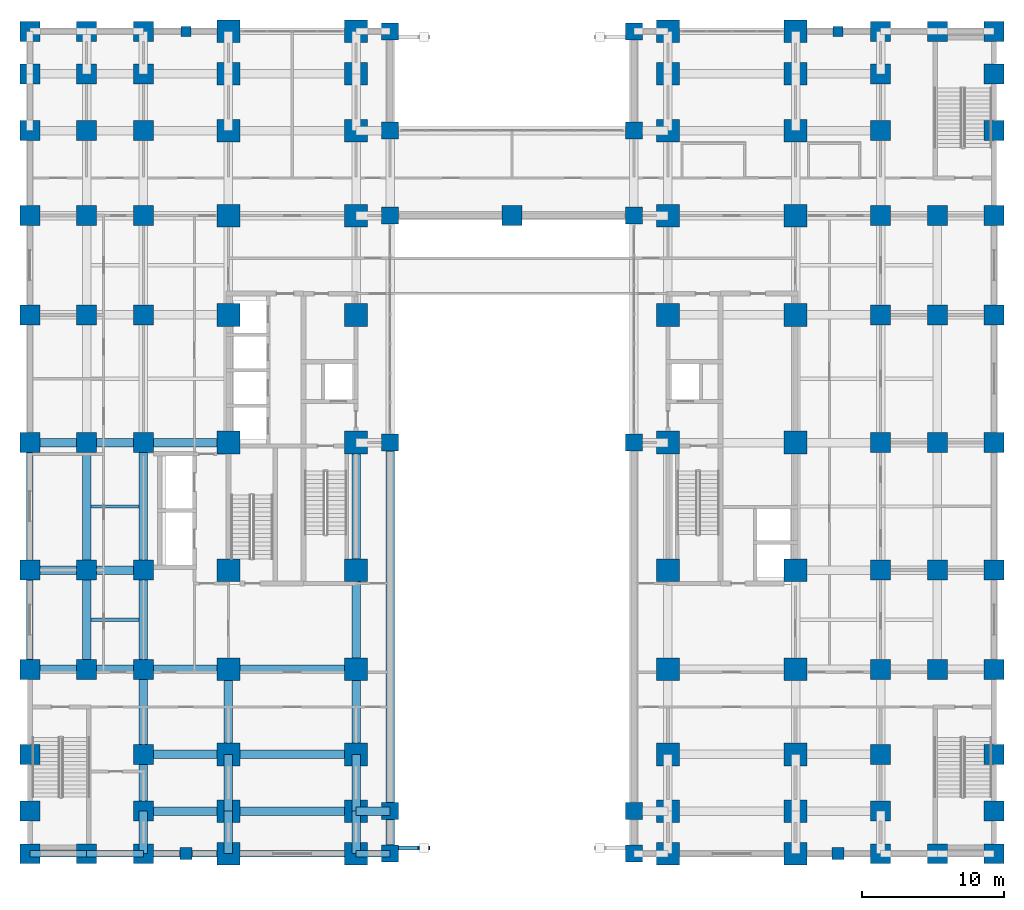
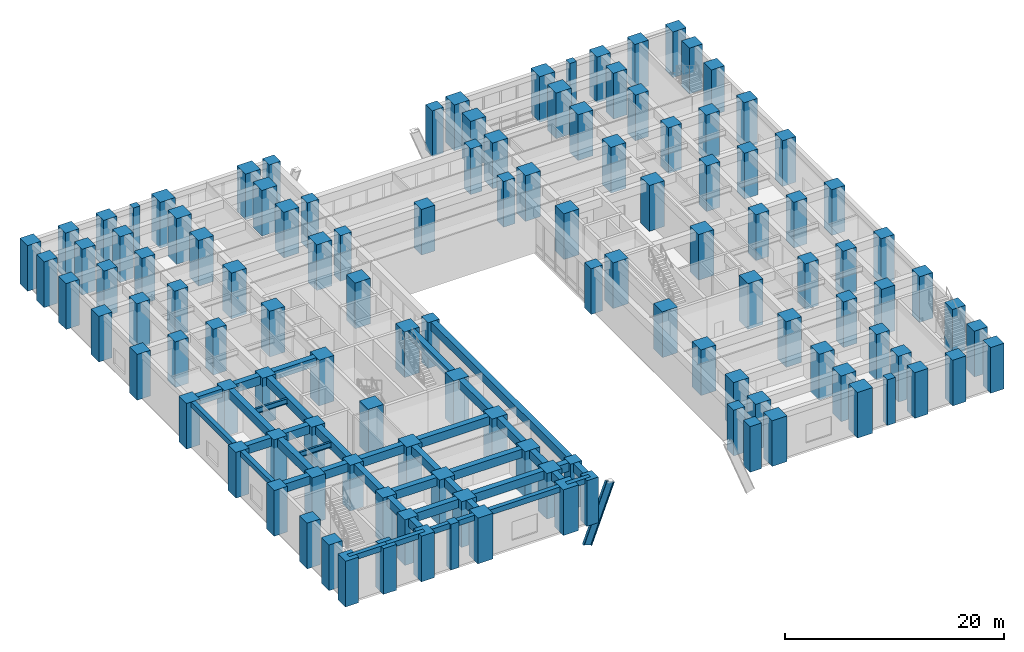
# One storey, part 1 of 23: 121 columns, 40 beams, 1 member.
"""IFC4 building model written with IfcOpenShell, lengths in metres."""

from ifc_helpers import new_model, si_unit, direction, frame, origin, origin_2d, place, context, subcontext, project, spatial, rectangle, i_section, extrude, material, material_profile, profile_set, type_object, element, save


model = new_model("IFC4")

# Units and contexts
model_context = context("Model", 3, precision=1e-05, world=origin(), true_north=direction((0.0, 1.0)))
body_context = subcontext(model_context, "Body", "Model", "MODEL_VIEW")
ifc_project = project(units=[si_unit("LENGTHUNIT", "METRE"), si_unit("AREAUNIT", "SQUARE_METRE"), si_unit("VOLUMEUNIT", "CUBIC_METRE"), si_unit("PLANEANGLEUNIT", "RADIAN"), si_unit("MASSUNIT", "GRAM", prefix="KILO")], contexts=[model_context])

# Site, building, storey
site_placement = place(None, origin())
site = spatial("IfcSite", under=ifc_project, at=site_placement, CompositionType="ELEMENT")
building_placement = place(site_placement, origin())
building = spatial("IfcBuilding", under=site, at=building_placement, Name="Zulmaris Gate Convention Tower", CompositionType="ELEMENT")
storey_placement = place(building_placement, frame((0.0, 0.0, 10.8798828125)))
storey = spatial("IfcBuildingStorey", under=building, at=storey_placement, Name="L02", CompositionType="ELEMENT", Elevation=10.8798828125)

# Columns
ifc_material_1 = material(Name="Concrete C70/85", Category="concrete")
ifc_material_profile_1 = material_profile(ifc_material_1, rectangle(XDim=1.199951171875, YDim=1.199951171875, at=origin_2d()), Name="RC COL 1200x1200")
ifc_profile_set_1 = profile_set([ifc_material_profile_1], Name="Concrete C70/85")
column_type_1 = type_object("IfcColumnType", Name="COL-RC1200", PredefinedType="COLUMN", material=ifc_profile_set_1)
for number, where, z_axis, x_axis, name in (
    (1, (-8.60009765625, -29.0, 0.0), (0.0, 0.0, 1.0), (1.0, 0.0, 0.0), "L02 Column AR--8.6_-29.0"),
    (2, (8.60009765625, -29.0, 0.0), (0.0, 0.0, 1.0), (1.0, 0.0, 0.0), "L02 Column AR-+8.6_-29.0"),
    (3, (-8.60009765625, -26.0, 0.0), (0.0, 0.0, 1.0), (1.0, 0.0, 0.0), "L02 Column AR--8.6_-26.0"),
    (4, (8.60009765625, -26.0, 0.0), (0.0, 0.0, 1.0), (1.0, 0.0, 0.0), "L02 Column AR-+8.6_-26.0"),
    (5, (-8.60009765625, 0.0, 0.0), (0.0, 0.0, 1.0), (1.0, 0.0, 0.0), "L02 Column AR--8.6_+0.0"),
    (6, (8.60009765625, 0.0, 0.0), (0.0, 0.0, 1.0), (1.0, 0.0, 0.0), "L02 Column AR-+8.6_+0.0"),
    (7, (-8.60009765625, 16.0, 0.0), (0.0, 0.0, 1.0), (1.0, 0.0, 0.0), "L02 Column AR--8.6_+16.0"),
    (8, (8.60009765625, 16.0, 0.0), (0.0, 0.0, 1.0), (1.0, 0.0, 0.0), "L02 Column AR-+8.6_+16.0"),
    (9, (-8.60009765625, 22.0, 0.0), (0.0, 0.0, 1.0), (1.0, 0.0, 0.0), "L02 Column AR--8.6_+22.0"),
    (10, (8.60009765625, 22.0, 0.0), (0.0, 0.0, 1.0), (1.0, 0.0, 0.0), "L02 Column AR-+8.6_+22.0"),
    (11, (-8.60009765625, 29.0, 0.0), (0.0, 0.0, 1.0), (1.0, 0.0, 0.0), "L02 Column AR--8.6_+29.0"),
    (12, (8.60009765625, 29.0, 0.0), (0.0, 0.0, 1.0), (1.0, 0.0, 0.0), "L02 Column AR-+8.6_+29.0"),
):
    element("IfcColumn", number, at=place(storey_placement, frame(where, z_axis=z_axis, x_axis=x_axis)), inside=storey, type_object=column_type_1, Name=name, PredefinedType="COLUMN", context=body_context, shape_type="SweptSolid", body=[
        extrude(rectangle(XDim=1.199951171875, YDim=1.199951171875, at=origin_2d()), origin(), (0.0, 0.0, 1.0), 5.09033203125),
    ])
ifc_material_2 = material(Name="Concrete C80/95", Category="concrete")
ifc_material_profile_2 = material_profile(ifc_material_2, rectangle(XDim=1.39990234375, YDim=1.39990234375, at=origin_2d()), Name="RC COL 1400x1400")
ifc_profile_set_2 = profile_set([ifc_material_profile_2], Name="Concrete C80/95")
column_type_2 = type_object("IfcColumnType", Name="COL-RC1400", PredefinedType="COLUMN", material=ifc_profile_set_2)
for number, where, z_axis, x_axis, name in (
    (13, (-34.0, -29.0, 0.0), (0.0, 0.0, 1.0), (1.0, 0.0, 0.0), "L02 Column G--34.0_-29.0"),
    (14, (-34.0, -26.0, 0.0), (0.0, 0.0, 1.0), (1.0, 0.0, 0.0), "L02 Column G--34.0_-26.0"),
    (15, (-34.0, -22.0, 0.0), (0.0, 0.0, 1.0), (1.0, 0.0, 0.0), "L02 Column G--34.0_-22.0"),
    (16, (-34.0, -16.0, 0.0), (0.0, 0.0, 1.0), (1.0, 0.0, 0.0), "L02 Column G--34.0_-16.0"),
    (17, (-34.0, -9.0, 0.0), (0.0, 0.0, 1.0), (1.0, 0.0, 0.0), "L02 Column G--34.0_-9.0"),
    (18, (-34.0, 0.0, 0.0), (0.0, 0.0, 1.0), (1.0, 0.0, 0.0), "L02 Column G--34.0_+0.0"),
    (19, (-34.0, 9.0, 0.0), (0.0, 0.0, 1.0), (1.0, 0.0, 0.0), "L02 Column G--34.0_+9.0"),
    (20, (-34.0, 16.0, 0.0), (0.0, 0.0, 1.0), (1.0, 0.0, 0.0), "L02 Column G--34.0_+16.0"),
    (21, (-34.0, 22.0, 0.0), (0.0, 0.0, 1.0), (1.0, 0.0, 0.0), "L02 Column G--34.0_+22.0"),
    (22, (-34.0, 26.0, 0.0), (0.0, 0.0, 1.0), (1.0, 0.0, 0.0), "L02 Column G--34.0_+26.0"),
    (23, (-34.0, 29.0, 0.0), (0.0, 0.0, 1.0), (1.0, 0.0, 0.0), "L02 Column G--34.0_+29.0"),
    (24, (-30.0, -29.0, 0.0), (0.0, 0.0, 1.0), (1.0, 0.0, 0.0), "L02 Column G--30.0_-29.0"),
    (25, (-30.0, -16.0, 0.0), (0.0, 0.0, 1.0), (1.0, 0.0, 0.0), "L02 Column G--30.0_-16.0"),
    (26, (-30.0, -9.0, 0.0), (0.0, 0.0, 1.0), (1.0, 0.0, 0.0), "L02 Column G--30.0_-9.0"),
    (27, (-30.0, 0.0, 0.0), (0.0, 0.0, 1.0), (1.0, 0.0, 0.0), "L02 Column G--30.0_+0.0"),
    (28, (-30.0, 9.0, 0.0), (0.0, 0.0, 1.0), (1.0, 0.0, 0.0), "L02 Column G--30.0_+9.0"),
    (29, (-30.0, 16.0, 0.0), (0.0, 0.0, 1.0), (1.0, 0.0, 0.0), "L02 Column G--30.0_+16.0"),
    (30, (-30.0, 22.0, 0.0), (0.0, 0.0, 1.0), (1.0, 0.0, 0.0), "L02 Column G--30.0_+22.0"),
    (31, (-30.0, 26.0, 0.0), (0.0, 0.0, 1.0), (1.0, 0.0, 0.0), "L02 Column G--30.0_+26.0"),
    (32, (-30.0, 29.0, 0.0), (0.0, 0.0, 1.0), (1.0, 0.0, 0.0), "L02 Column G--30.0_+29.0"),
    (33, (-26.0, -29.0, 0.0), (0.0, 0.0, 1.0), (1.0, 0.0, 0.0), "L02 Column G--26.0_-29.0"),
    (34, (-26.0, -26.0, 0.0), (0.0, 0.0, 1.0), (1.0, 0.0, 0.0), "L02 Column G--26.0_-26.0"),
    (35, (-26.0, -22.0, 0.0), (0.0, 0.0, 1.0), (1.0, 0.0, 0.0), "L02 Column G--26.0_-22.0"),
    (36, (-26.0, -16.0, 0.0), (0.0, 0.0, 1.0), (1.0, 0.0, 0.0), "L02 Column G--26.0_-16.0"),
    (37, (-26.0, -9.0, 0.0), (0.0, 0.0, 1.0), (1.0, 0.0, 0.0), "L02 Column G--26.0_-9.0"),
    (38, (-26.0, 0.0, 0.0), (0.0, 0.0, 1.0), (1.0, 0.0, 0.0), "L02 Column G--26.0_+0.0"),
    (39, (-26.0, 9.0, 0.0), (0.0, 0.0, 1.0), (1.0, 0.0, 0.0), "L02 Column G--26.0_+9.0"),
    (40, (-26.0, 16.0, 0.0), (0.0, 0.0, 1.0), (1.0, 0.0, 0.0), "L02 Column G--26.0_+16.0"),
    (41, (-26.0, 22.0, 0.0), (0.0, 0.0, 1.0), (1.0, 0.0, 0.0), "L02 Column G--26.0_+22.0"),
    (42, (-26.0, 26.0, 0.0), (0.0, 0.0, 1.0), (1.0, 0.0, 0.0), "L02 Column G--26.0_+26.0"),
    (43, (-26.0, 29.0, 0.0), (0.0, 0.0, 1.0), (1.0, 0.0, 0.0), "L02 Column G--26.0_+29.0"),
    (44, (0.0, 16.0, 0.0), (0.0, 0.0, 1.0), (1.0, 0.0, 0.0), "L02 Column G-+0.0_+16.0"),
    (45, (26.0, -29.0, 0.0), (0.0, 0.0, 1.0), (1.0, 0.0, 0.0), "L02 Column G-+26.0_-29.0"),
    (46, (26.0, -26.0, 0.0), (0.0, 0.0, 1.0), (1.0, 0.0, 0.0), "L02 Column G-+26.0_-26.0"),
    (47, (26.0, -22.0, 0.0), (0.0, 0.0, 1.0), (1.0, 0.0, 0.0), "L02 Column G-+26.0_-22.0"),
    (48, (26.0, -16.0, 0.0), (0.0, 0.0, 1.0), (1.0, 0.0, 0.0), "L02 Column G-+26.0_-16.0"),
    (49, (26.0, -9.0, 0.0), (0.0, 0.0, 1.0), (1.0, 0.0, 0.0), "L02 Column G-+26.0_-9.0"),
    (50, (26.0, 0.0, 0.0), (0.0, 0.0, 1.0), (1.0, 0.0, 0.0), "L02 Column G-+26.0_+0.0"),
    (51, (26.0, 9.0, 0.0), (0.0, 0.0, 1.0), (1.0, 0.0, 0.0), "L02 Column G-+26.0_+9.0"),
    (52, (26.0, 16.0, 0.0), (0.0, 0.0, 1.0), (1.0, 0.0, 0.0), "L02 Column G-+26.0_+16.0"),
    (53, (26.0, 22.0, 0.0), (0.0, 0.0, 1.0), (1.0, 0.0, 0.0), "L02 Column G-+26.0_+22.0"),
    (54, (26.0, 26.0, 0.0), (0.0, 0.0, 1.0), (1.0, 0.0, 0.0), "L02 Column G-+26.0_+26.0"),
    (55, (26.0, 29.0, 0.0), (0.0, 0.0, 1.0), (1.0, 0.0, 0.0), "L02 Column G-+26.0_+29.0"),
    (56, (30.0, -29.0, 0.0), (0.0, 0.0, 1.0), (1.0, 0.0, 0.0), "L02 Column G-+30.0_-29.0"),
    (57, (30.0, -16.0, 0.0), (0.0, 0.0, 1.0), (1.0, 0.0, 0.0), "L02 Column G-+30.0_-16.0"),
    (58, (30.0, -9.0, 0.0), (0.0, 0.0, 1.0), (1.0, 0.0, 0.0), "L02 Column G-+30.0_-9.0"),
    (59, (30.0, 0.0, 0.0), (0.0, 0.0, 1.0), (1.0, 0.0, 0.0), "L02 Column G-+30.0_+0.0"),
    (60, (30.0, 9.0, 0.0), (0.0, 0.0, 1.0), (1.0, 0.0, 0.0), "L02 Column G-+30.0_+9.0"),
    (61, (30.0, 16.0, 0.0), (0.0, 0.0, 1.0), (1.0, 0.0, 0.0), "L02 Column G-+30.0_+16.0"),
    (62, (30.0, 29.0, 0.0), (0.0, 0.0, 1.0), (1.0, 0.0, 0.0), "L02 Column G-+30.0_+29.0"),
    (63, (34.0, -29.0, 0.0), (0.0, 0.0, 1.0), (1.0, 0.0, 0.0), "L02 Column G-+34.0_-29.0"),
    (64, (34.0, -26.0, 0.0), (0.0, 0.0, 1.0), (1.0, 0.0, 0.0), "L02 Column G-+34.0_-26.0"),
    (65, (34.0, -22.0, 0.0), (0.0, 0.0, 1.0), (1.0, 0.0, 0.0), "L02 Column G-+34.0_-22.0"),
    (66, (34.0, -16.0, 0.0), (0.0, 0.0, 1.0), (1.0, 0.0, 0.0), "L02 Column G-+34.0_-16.0"),
    (67, (34.0, -9.0, 0.0), (0.0, 0.0, 1.0), (1.0, 0.0, 0.0), "L02 Column G-+34.0_-9.0"),
    (68, (34.0, 0.0, 0.0), (0.0, 0.0, 1.0), (1.0, 0.0, 0.0), "L02 Column G-+34.0_+0.0"),
    (69, (34.0, 9.0, 0.0), (0.0, 0.0, 1.0), (1.0, 0.0, 0.0), "L02 Column G-+34.0_+9.0"),
    (70, (34.0, 16.0, 0.0), (0.0, 0.0, 1.0), (1.0, 0.0, 0.0), "L02 Column G-+34.0_+16.0"),
    (71, (34.0, 22.0, 0.0), (0.0, 0.0, 1.0), (1.0, 0.0, 0.0), "L02 Column G-+34.0_+22.0"),
    (72, (34.0, 26.0, 0.0), (0.0, 0.0, 1.0), (1.0, 0.0, 0.0), "L02 Column G-+34.0_+26.0"),
    (73, (34.0, 29.0, 0.0), (0.0, 0.0, 1.0), (1.0, 0.0, 0.0), "L02 Column G-+34.0_+29.0"),
):
    element("IfcColumn", number, at=place(storey_placement, frame(where, z_axis=z_axis, x_axis=x_axis)), inside=storey, type_object=column_type_2, Name=name, PredefinedType="COLUMN", context=body_context, shape_type="SweptSolid", body=[
        extrude(rectangle(XDim=1.39990234375, YDim=1.39990234375, at=origin_2d()), origin(), (0.0, 0.0, 1.0), 5.09033203125),
    ])
ifc_material_profile_3 = material_profile(ifc_material_2, rectangle(XDim=1.60009765625, YDim=1.60009765625, at=origin_2d()), Name="RC COL 1600x1600")
ifc_profile_set_3 = profile_set([ifc_material_profile_3], Name="Concrete C80/95")
column_type_3 = type_object("IfcColumnType", Name="COL-RC1600", PredefinedType="COLUMN", material=ifc_profile_set_3)
for number, where, z_axis, x_axis, name in (
    (74, (-20.0, -29.0, 0.0), (0.0, 0.0, 1.0), (1.0, 0.0, 0.0), "L02 Column G--20.0_-29.0"),
    (75, (-20.0, -26.0, 0.0), (0.0, 0.0, 1.0), (1.0, 0.0, 0.0), "L02 Column G--20.0_-26.0"),
    (76, (-20.0, -22.0, 0.0), (0.0, 0.0, 1.0), (1.0, 0.0, 0.0), "L02 Column G--20.0_-22.0"),
    (77, (-20.0, -16.0, 0.0), (0.0, 0.0, 1.0), (1.0, 0.0, 0.0), "L02 Column G--20.0_-16.0"),
    (78, (-20.0, -9.0, 0.0), (0.0, 0.0, 1.0), (1.0, 0.0, 0.0), "L02 Column G--20.0_-9.0"),
    (79, (-20.0, 0.0, 0.0), (0.0, 0.0, 1.0), (1.0, 0.0, 0.0), "L02 Column G--20.0_+0.0"),
    (80, (-20.0, 9.0, 0.0), (0.0, 0.0, 1.0), (1.0, 0.0, 0.0), "L02 Column G--20.0_+9.0"),
    (81, (-20.0, 16.0, 0.0), (0.0, 0.0, 1.0), (1.0, 0.0, 0.0), "L02 Column G--20.0_+16.0"),
    (82, (-20.0, 22.0, 0.0), (0.0, 0.0, 1.0), (1.0, 0.0, 0.0), "L02 Column G--20.0_+22.0"),
    (83, (-20.0, 26.0, 0.0), (0.0, 0.0, 1.0), (1.0, 0.0, 0.0), "L02 Column G--20.0_+26.0"),
    (84, (-20.0, 29.0, 0.0), (0.0, 0.0, 1.0), (1.0, 0.0, 0.0), "L02 Column G--20.0_+29.0"),
    (85, (-11.0, -29.0, 0.0), (0.0, 0.0, 1.0), (1.0, 0.0, 0.0), "L02 Column G--11.0_-29.0"),
    (86, (-11.0, -26.0, 0.0), (0.0, 0.0, 1.0), (1.0, 0.0, 0.0), "L02 Column G--11.0_-26.0"),
    (87, (-11.0, -22.0, 0.0), (0.0, 0.0, 1.0), (1.0, 0.0, 0.0), "L02 Column G--11.0_-22.0"),
    (88, (-11.0, -16.0, 0.0), (0.0, 0.0, 1.0), (1.0, 0.0, 0.0), "L02 Column G--11.0_-16.0"),
    (89, (-11.0, -9.0, 0.0), (0.0, 0.0, 1.0), (1.0, 0.0, 0.0), "L02 Column G--11.0_-9.0"),
    (90, (-11.0, 0.0, 0.0), (0.0, 0.0, 1.0), (1.0, 0.0, 0.0), "L02 Column G--11.0_+0.0"),
    (91, (-11.0, 9.0, 0.0), (0.0, 0.0, 1.0), (1.0, 0.0, 0.0), "L02 Column G--11.0_+9.0"),
    (92, (-11.0, 16.0, 0.0), (0.0, 0.0, 1.0), (1.0, 0.0, 0.0), "L02 Column G--11.0_+16.0"),
    (93, (-11.0, 22.0, 0.0), (0.0, 0.0, 1.0), (1.0, 0.0, 0.0), "L02 Column G--11.0_+22.0"),
    (94, (-11.0, 26.0, 0.0), (0.0, 0.0, 1.0), (1.0, 0.0, 0.0), "L02 Column G--11.0_+26.0"),
    (95, (-11.0, 29.0, 0.0), (0.0, 0.0, 1.0), (1.0, 0.0, 0.0), "L02 Column G--11.0_+29.0"),
    (96, (11.0, -29.0, 0.0), (0.0, 0.0, 1.0), (1.0, 0.0, 0.0), "L02 Column G-+11.0_-29.0"),
    (97, (11.0, -26.0, 0.0), (0.0, 0.0, 1.0), (1.0, 0.0, 0.0), "L02 Column G-+11.0_-26.0"),
    (98, (11.0, -22.0, 0.0), (0.0, 0.0, 1.0), (1.0, 0.0, 0.0), "L02 Column G-+11.0_-22.0"),
    (99, (11.0, -16.0, 0.0), (0.0, 0.0, 1.0), (1.0, 0.0, 0.0), "L02 Column G-+11.0_-16.0"),
    (100, (11.0, -9.0, 0.0), (0.0, 0.0, 1.0), (1.0, 0.0, 0.0), "L02 Column G-+11.0_-9.0"),
    (101, (11.0, 0.0, 0.0), (0.0, 0.0, 1.0), (1.0, 0.0, 0.0), "L02 Column G-+11.0_+0.0"),
    (102, (11.0, 9.0, 0.0), (0.0, 0.0, 1.0), (1.0, 0.0, 0.0), "L02 Column G-+11.0_+9.0"),
    (103, (11.0, 16.0, 0.0), (0.0, 0.0, 1.0), (1.0, 0.0, 0.0), "L02 Column G-+11.0_+16.0"),
    (104, (11.0, 22.0, 0.0), (0.0, 0.0, 1.0), (1.0, 0.0, 0.0), "L02 Column G-+11.0_+22.0"),
    (105, (11.0, 26.0, 0.0), (0.0, 0.0, 1.0), (1.0, 0.0, 0.0), "L02 Column G-+11.0_+26.0"),
    (106, (11.0, 29.0, 0.0), (0.0, 0.0, 1.0), (1.0, 0.0, 0.0), "L02 Column G-+11.0_+29.0"),
    (107, (20.0, -29.0, 0.0), (0.0, 0.0, 1.0), (1.0, 0.0, 0.0), "L02 Column G-+20.0_-29.0"),
    (108, (20.0, -26.0, 0.0), (0.0, 0.0, 1.0), (1.0, 0.0, 0.0), "L02 Column G-+20.0_-26.0"),
    (109, (20.0, -22.0, 0.0), (0.0, 0.0, 1.0), (1.0, 0.0, 0.0), "L02 Column G-+20.0_-22.0"),
    (110, (20.0, -16.0, 0.0), (0.0, 0.0, 1.0), (1.0, 0.0, 0.0), "L02 Column G-+20.0_-16.0"),
    (111, (20.0, -9.0, 0.0), (0.0, 0.0, 1.0), (1.0, 0.0, 0.0), "L02 Column G-+20.0_-9.0"),
    (112, (20.0, 0.0, 0.0), (0.0, 0.0, 1.0), (1.0, 0.0, 0.0), "L02 Column G-+20.0_+0.0"),
    (113, (20.0, 9.0, 0.0), (0.0, 0.0, 1.0), (1.0, 0.0, 0.0), "L02 Column G-+20.0_+9.0"),
    (114, (20.0, 16.0, 0.0), (0.0, 0.0, 1.0), (1.0, 0.0, 0.0), "L02 Column G-+20.0_+16.0"),
    (115, (20.0, 22.0, 0.0), (0.0, 0.0, 1.0), (1.0, 0.0, 0.0), "L02 Column G-+20.0_+22.0"),
    (116, (20.0, 26.0, 0.0), (0.0, 0.0, 1.0), (1.0, 0.0, 0.0), "L02 Column G-+20.0_+26.0"),
    (117, (20.0, 29.0, 0.0), (0.0, 0.0, 1.0), (1.0, 0.0, 0.0), "L02 Column G-+20.0_+29.0"),
):
    element("IfcColumn", number, at=place(storey_placement, frame(where, z_axis=z_axis, x_axis=x_axis)), inside=storey, type_object=column_type_3, Name=name, PredefinedType="COLUMN", context=body_context, shape_type="SweptSolid", body=[
        extrude(rectangle(XDim=1.60009765625, YDim=1.60009765625, at=origin_2d()), origin(), (0.0, 0.0, 1.0), 5.09033203125),
    ])
ifc_material_3 = material(Name="Precast concrete C50/60", Category="concrete")
ifc_material_profile_4 = material_profile(ifc_material_3, rectangle(XDim=0.699951171875, YDim=0.699951171875, at=origin_2d()), Name="RC COL 700x700")
ifc_profile_set_4 = profile_set([ifc_material_profile_4], Name="Precast concrete C50/60")
column_type_4 = type_object("IfcColumnType", Name="PIL-RC700", PredefinedType="PILASTER", material=ifc_profile_set_4)
for number, where, z_axis, x_axis, name in (
    (118, (-23.0, 29.0, 0.0), (0.0, 0.0, 1.0), (1.0, 0.0, 0.0), "L02 Pilaster PIL--23.0_+29.0"),
    (119, (23.0, 29.0, 0.0), (0.0, 0.0, 1.0), (1.0, 0.0, 0.0), "L02 Pilaster PIL-+23.0_+29.0"),
):
    element("IfcColumn", number, at=place(storey_placement, frame(where, z_axis=z_axis, x_axis=x_axis)), inside=storey, type_object=column_type_4, Name=name, PredefinedType="PILASTER", context=body_context, shape_type="SweptSolid", body=[
        extrude(rectangle(XDim=0.699951171875, YDim=0.699951171875, at=origin_2d()), origin(), (0.0, 0.0, 1.0), 5.09033203125),
    ])
ifc_material_profile_5 = material_profile(ifc_material_3, rectangle(XDim=0.85009765625, YDim=0.85009765625, at=origin_2d()), Name="RC COL 850x850")
ifc_profile_set_5 = profile_set([ifc_material_profile_5], Name="Precast concrete C50/60")
column_type_5 = type_object("IfcColumnType", Name="PIL-RC850", PredefinedType="PILASTER", material=ifc_profile_set_5)
for number, where, z_axis, x_axis, name in (
    (120, (-23.0, -29.0, 0.0), (0.0, 0.0, 1.0), (1.0, 0.0, 0.0), "L02 Pilaster PIL--23.0_-29.0"),
    (121, (23.0, -29.0, 0.0), (0.0, 0.0, 1.0), (1.0, 0.0, 0.0), "L02 Pilaster PIL-+23.0_-29.0"),
):
    element("IfcColumn", number, at=place(storey_placement, frame(where, z_axis=z_axis, x_axis=x_axis)), inside=storey, type_object=column_type_5, Name=name, PredefinedType="PILASTER", context=body_context, shape_type="SweptSolid", body=[
        extrude(rectangle(XDim=0.85009765625, YDim=0.85009765625, at=origin_2d()), origin(), (0.0, 0.0, 1.0), 5.09033203125),
    ])

# Beams
ifc_material_4 = material(Name="Concrete C60/75", Category="concrete")
ifc_material_profile_6 = material_profile(ifc_material_4, rectangle(XDim=0.60009765625, YDim=0.949951171875, at=origin_2d()), Name="RC BEAM 600x950")
ifc_profile_set_6 = profile_set([ifc_material_profile_6], Name="Concrete C60/75")
beam_type_1 = type_object("IfcBeamType", Name="BM-RC600x950", PredefinedType="BEAM", material=ifc_profile_set_6)
beam_1_placement = place(storey_placement, frame((-26.0, -26.0, 4.615234375), z_axis=(1.0, 0.0, 0.0), x_axis=(0.0, 1.0, 0.0)))
element("IfcBeam", 122, at=beam_1_placement, inside=storey, type_object=beam_type_1, Name="L02 Beam BM-L02-X--26.0--26.0", PredefinedType="BEAM", context=body_context, shape_type="SweptSolid", body=[
    extrude(rectangle(XDim=0.60009765625, YDim=0.949951171875, at=origin_2d()), origin(), (0.0, 0.0, 1.0), 6.0),
])
beam_2_placement = place(storey_placement, frame((-20.0, -26.0, 4.615234375), z_axis=(1.0, 0.0, 0.0), x_axis=(0.0, 1.0, 0.0)))
element("IfcBeam", 123, at=beam_2_placement, inside=storey, type_object=beam_type_1, Name="L02 Beam BM-L02-X--26.0--20.0", PredefinedType="BEAM", context=body_context, shape_type="SweptSolid", body=[
    extrude(rectangle(XDim=0.60009765625, YDim=0.949951171875, at=origin_2d()), origin(), (0.0, 0.0, 1.0), 9.0),
])
beam_3_placement = place(storey_placement, frame((-11.0, -26.0, 4.615234375), z_axis=(1.0, 0.0, 0.0), x_axis=(0.0, 1.0, 0.0)))
element("IfcBeam", 124, at=beam_3_placement, inside=storey, type_object=beam_type_1, Name="L02 Beam BM-L02-X--26.0--11.0", PredefinedType="BEAM", context=body_context, shape_type="SweptSolid", body=[
    extrude(rectangle(XDim=0.60009765625, YDim=0.949951171875, at=origin_2d()), origin(), (0.0, 0.0, 1.0), 2.39990234375),
])
beam_4_placement = place(storey_placement, frame((-26.0, -22.0, 4.615234375), z_axis=(1.0, 0.0, 0.0), x_axis=(0.0, 1.0, 0.0)))
element("IfcBeam", 125, at=beam_4_placement, inside=storey, type_object=beam_type_1, Name="L02 Beam BM-L02-X--22.0--26.0", PredefinedType="BEAM", context=body_context, shape_type="SweptSolid", body=[
    extrude(rectangle(XDim=0.60009765625, YDim=0.949951171875, at=origin_2d()), origin(), (0.0, 0.0, 1.0), 6.0),
])
beam_5_placement = place(storey_placement, frame((-20.0, -22.0, 4.615234375), z_axis=(1.0, 0.0, 0.0), x_axis=(0.0, 1.0, 0.0)))
element("IfcBeam", 126, at=beam_5_placement, inside=storey, type_object=beam_type_1, Name="L02 Beam BM-L02-X--22.0--20.0", PredefinedType="BEAM", context=body_context, shape_type="SweptSolid", body=[
    extrude(rectangle(XDim=0.60009765625, YDim=0.949951171875, at=origin_2d()), origin(), (0.0, 0.0, 1.0), 9.0),
])
for number, where, z_axis, x_axis, name in (
    (127, (-34.0, -16.0, 4.615234375), (1.0, 0.0, 0.0), (0.0, 1.0, 0.0), "L02 Beam BM-L02-X--16.0--34.0"),
    (128, (-30.0, -16.0, 4.615234375), (1.0, 0.0, 0.0), (0.0, 1.0, 0.0), "L02 Beam BM-L02-X--16.0--30.0"),
):
    element("IfcBeam", number, at=place(storey_placement, frame(where, z_axis=z_axis, x_axis=x_axis)), inside=storey, type_object=beam_type_1, Name=name, PredefinedType="BEAM", context=body_context, shape_type="SweptSolid", body=[
        extrude(rectangle(XDim=0.60009765625, YDim=0.949951171875, at=origin_2d()), origin(), (0.0, 0.0, 1.0), 4.0),
    ])
beam_6_placement = place(storey_placement, frame((-26.0, -16.0, 4.615234375), z_axis=(1.0, 0.0, 0.0), x_axis=(0.0, 1.0, 0.0)))
element("IfcBeam", 129, at=beam_6_placement, inside=storey, type_object=beam_type_1, Name="L02 Beam BM-L02-X--16.0--26.0", PredefinedType="BEAM", context=body_context, shape_type="SweptSolid", body=[
    extrude(rectangle(XDim=0.60009765625, YDim=0.949951171875, at=origin_2d()), origin(), (0.0, 0.0, 1.0), 6.0),
])
beam_7_placement = place(storey_placement, frame((-20.0, -16.0, 4.615234375), z_axis=(1.0, 0.0, 0.0), x_axis=(0.0, 1.0, 0.0)))
element("IfcBeam", 130, at=beam_7_placement, inside=storey, type_object=beam_type_1, Name="L02 Beam BM-L02-X--16.0--20.0", PredefinedType="BEAM", context=body_context, shape_type="SweptSolid", body=[
    extrude(rectangle(XDim=0.60009765625, YDim=0.949951171875, at=origin_2d()), origin(), (0.0, 0.0, 1.0), 9.0),
])
for number, where, z_axis, x_axis, name in (
    (131, (-34.0, -9.0, 4.615234375), (1.0, 0.0, 0.0), (0.0, 1.0, 0.0), "L02 Beam BM-L02-X--9.0--34.0"),
    (132, (-30.0, -9.0, 4.615234375), (1.0, 0.0, 0.0), (0.0, 1.0, 0.0), "L02 Beam BM-L02-X--9.0--30.0"),
    (133, (-34.0, 0.0, 4.615234375), (1.0, 0.0, 0.0), (0.0, 1.0, 0.0), "L02 Beam BM-L02-X-+0.0--34.0"),
    (134, (-30.0, 0.0, 4.615234375), (1.0, 0.0, 0.0), (0.0, 1.0, 0.0), "L02 Beam BM-L02-X-+0.0--30.0"),
):
    element("IfcBeam", number, at=place(storey_placement, frame(where, z_axis=z_axis, x_axis=x_axis)), inside=storey, type_object=beam_type_1, Name=name, PredefinedType="BEAM", context=body_context, shape_type="SweptSolid", body=[
        extrude(rectangle(XDim=0.60009765625, YDim=0.949951171875, at=origin_2d()), origin(), (0.0, 0.0, 1.0), 4.0),
    ])
beam_8_placement = place(storey_placement, frame((-26.0, 0.0, 4.615234375), z_axis=(1.0, 0.0, 0.0), x_axis=(0.0, 1.0, 0.0)))
element("IfcBeam", 135, at=beam_8_placement, inside=storey, type_object=beam_type_1, Name="L02 Beam BM-L02-X-+0.0--26.0", PredefinedType="BEAM", context=body_context, shape_type="SweptSolid", body=[
    extrude(rectangle(XDim=0.60009765625, YDim=0.949951171875, at=origin_2d()), origin(), (0.0, 0.0, 1.0), 6.0),
])
beam_9_placement = place(storey_placement, frame((-30.0, -16.0, 4.615234375), z_axis=(0.0, 1.0, 0.0), x_axis=(-1.0, 0.0, 0.0)))
element("IfcBeam", 136, at=beam_9_placement, inside=storey, type_object=beam_type_1, Name="L02 Beam BM-L02-Y--30.0--16.0", PredefinedType="BEAM", context=body_context, shape_type="SweptSolid", body=[
    extrude(rectangle(XDim=0.60009765625, YDim=0.949951171875, at=origin_2d()), origin(), (0.0, 0.0, 1.0), 7.0),
])
beam_10_placement = place(storey_placement, frame((-30.0, -9.0, 4.615234375), z_axis=(0.0, 1.0, 0.0), x_axis=(-1.0, 0.0, 0.0)))
element("IfcBeam", 137, at=beam_10_placement, inside=storey, type_object=beam_type_1, Name="L02 Beam BM-L02-Y--30.0--9.0", PredefinedType="BEAM", context=body_context, shape_type="SweptSolid", body=[
    extrude(rectangle(XDim=0.60009765625, YDim=0.949951171875, at=origin_2d()), origin(), (0.0, 0.0, 1.0), 9.0),
])
beam_11_placement = place(storey_placement, frame((-26.0, -29.0, 4.615234375), z_axis=(0.0, 1.0, 0.0), x_axis=(-1.0, 0.0, 0.0)))
element("IfcBeam", 138, at=beam_11_placement, inside=storey, type_object=beam_type_1, Name="L02 Beam BM-L02-Y--26.0--29.0", PredefinedType="BEAM", context=body_context, shape_type="SweptSolid", body=[
    extrude(rectangle(XDim=0.60009765625, YDim=0.949951171875, at=origin_2d()), origin(), (0.0, 0.0, 1.0), 3.0),
])
beam_12_placement = place(storey_placement, frame((-26.0, -26.0, 4.615234375), z_axis=(0.0, 1.0, 0.0), x_axis=(-1.0, 0.0, 0.0)))
element("IfcBeam", 139, at=beam_12_placement, inside=storey, type_object=beam_type_1, Name="L02 Beam BM-L02-Y--26.0--26.0", PredefinedType="BEAM", context=body_context, shape_type="SweptSolid", body=[
    extrude(rectangle(XDim=0.60009765625, YDim=0.949951171875, at=origin_2d()), origin(), (0.0, 0.0, 1.0), 4.0),
])
beam_13_placement = place(storey_placement, frame((-26.0, -22.0, 4.615234375), z_axis=(0.0, 1.0, 0.0), x_axis=(-1.0, 0.0, 0.0)))
element("IfcBeam", 140, at=beam_13_placement, inside=storey, type_object=beam_type_1, Name="L02 Beam BM-L02-Y--26.0--22.0", PredefinedType="BEAM", context=body_context, shape_type="SweptSolid", body=[
    extrude(rectangle(XDim=0.60009765625, YDim=0.949951171875, at=origin_2d()), origin(), (0.0, 0.0, 1.0), 6.0),
])
beam_14_placement = place(storey_placement, frame((-26.0, -16.0, 4.615234375), z_axis=(0.0, 1.0, 0.0), x_axis=(-1.0, 0.0, 0.0)))
element("IfcBeam", 141, at=beam_14_placement, inside=storey, type_object=beam_type_1, Name="L02 Beam BM-L02-Y--26.0--16.0", PredefinedType="BEAM", context=body_context, shape_type="SweptSolid", body=[
    extrude(rectangle(XDim=0.60009765625, YDim=0.949951171875, at=origin_2d()), origin(), (0.0, 0.0, 1.0), 7.0),
])
beam_15_placement = place(storey_placement, frame((-26.0, -9.0, 4.615234375), z_axis=(0.0, 1.0, 0.0), x_axis=(-1.0, 0.0, 0.0)))
element("IfcBeam", 142, at=beam_15_placement, inside=storey, type_object=beam_type_1, Name="L02 Beam BM-L02-Y--26.0--9.0", PredefinedType="BEAM", context=body_context, shape_type="SweptSolid", body=[
    extrude(rectangle(XDim=0.60009765625, YDim=0.949951171875, at=origin_2d()), origin(), (0.0, 0.0, 1.0), 9.0),
])
beam_16_placement = place(storey_placement, frame((-20.0, -29.0, 4.615234375), z_axis=(0.0, 1.0, 0.0), x_axis=(-1.0, 0.0, 0.0)))
element("IfcBeam", 143, at=beam_16_placement, inside=storey, type_object=beam_type_1, Name="L02 Beam BM-L02-Y--20.0--29.0", PredefinedType="BEAM", context=body_context, shape_type="SweptSolid", body=[
    extrude(rectangle(XDim=0.60009765625, YDim=0.949951171875, at=origin_2d()), origin(), (0.0, 0.0, 1.0), 3.0),
])
beam_17_placement = place(storey_placement, frame((-20.0, -26.0, 4.615234375), z_axis=(0.0, 1.0, 0.0), x_axis=(-1.0, 0.0, 0.0)))
element("IfcBeam", 144, at=beam_17_placement, inside=storey, type_object=beam_type_1, Name="L02 Beam BM-L02-Y--20.0--26.0", PredefinedType="BEAM", context=body_context, shape_type="SweptSolid", body=[
    extrude(rectangle(XDim=0.60009765625, YDim=0.949951171875, at=origin_2d()), origin(), (0.0, 0.0, 1.0), 4.0),
])
beam_18_placement = place(storey_placement, frame((-20.0, -22.0, 4.615234375), z_axis=(0.0, 1.0, 0.0), x_axis=(-1.0, 0.0, 0.0)))
element("IfcBeam", 145, at=beam_18_placement, inside=storey, type_object=beam_type_1, Name="L02 Beam BM-L02-Y--20.0--22.0", PredefinedType="BEAM", context=body_context, shape_type="SweptSolid", body=[
    extrude(rectangle(XDim=0.60009765625, YDim=0.949951171875, at=origin_2d()), origin(), (0.0, 0.0, 1.0), 6.0),
])
beam_19_placement = place(storey_placement, frame((-11.0, -29.0, 4.615234375), z_axis=(0.0, 1.0, 0.0), x_axis=(-1.0, 0.0, 0.0)))
element("IfcBeam", 146, at=beam_19_placement, inside=storey, type_object=beam_type_1, Name="L02 Beam BM-L02-Y--11.0--29.0", PredefinedType="BEAM", context=body_context, shape_type="SweptSolid", body=[
    extrude(rectangle(XDim=0.60009765625, YDim=0.949951171875, at=origin_2d()), origin(), (0.0, 0.0, 1.0), 3.0),
])
beam_20_placement = place(storey_placement, frame((-11.0, -26.0, 4.615234375), z_axis=(0.0, 1.0, 0.0), x_axis=(-1.0, 0.0, 0.0)))
element("IfcBeam", 147, at=beam_20_placement, inside=storey, type_object=beam_type_1, Name="L02 Beam BM-L02-Y--11.0--26.0", PredefinedType="BEAM", context=body_context, shape_type="SweptSolid", body=[
    extrude(rectangle(XDim=0.60009765625, YDim=0.949951171875, at=origin_2d()), origin(), (0.0, 0.0, 1.0), 4.0),
])
beam_21_placement = place(storey_placement, frame((-11.0, -22.0, 4.615234375), z_axis=(0.0, 1.0, 0.0), x_axis=(-1.0, 0.0, 0.0)))
element("IfcBeam", 148, at=beam_21_placement, inside=storey, type_object=beam_type_1, Name="L02 Beam BM-L02-Y--11.0--22.0", PredefinedType="BEAM", context=body_context, shape_type="SweptSolid", body=[
    extrude(rectangle(XDim=0.60009765625, YDim=0.949951171875, at=origin_2d()), origin(), (0.0, 0.0, 1.0), 6.0),
])
beam_22_placement = place(storey_placement, frame((-11.0, -16.0, 4.615234375), z_axis=(0.0, 1.0, 0.0), x_axis=(-1.0, 0.0, 0.0)))
element("IfcBeam", 149, at=beam_22_placement, inside=storey, type_object=beam_type_1, Name="L02 Beam BM-L02-Y--11.0--16.0", PredefinedType="BEAM", context=body_context, shape_type="SweptSolid", body=[
    extrude(rectangle(XDim=0.60009765625, YDim=0.949951171875, at=origin_2d()), origin(), (0.0, 0.0, 1.0), 7.0),
])
beam_23_placement = place(storey_placement, frame((-11.0, -9.0, 4.615234375), z_axis=(0.0, 1.0, 0.0), x_axis=(-1.0, 0.0, 0.0)))
element("IfcBeam", 150, at=beam_23_placement, inside=storey, type_object=beam_type_1, Name="L02 Beam BM-L02-Y--11.0--9.0", PredefinedType="BEAM", context=body_context, shape_type="SweptSolid", body=[
    extrude(rectangle(XDim=0.60009765625, YDim=0.949951171875, at=origin_2d()), origin(), (0.0, 0.0, 1.0), 9.0),
])
beam_24_placement = place(storey_placement, frame((-8.60009765625, -29.0, 4.615234375), z_axis=(0.0, 1.0, 0.0), x_axis=(-1.0, 0.0, 0.0)))
element("IfcBeam", 151, at=beam_24_placement, inside=storey, type_object=beam_type_1, Name="L02 Beam BM-L02-Y--8.6--29.0", PredefinedType="BEAM", context=body_context, shape_type="SweptSolid", body=[
    extrude(rectangle(XDim=0.60009765625, YDim=0.949951171875, at=origin_2d()), origin(), (0.0, 0.0, 1.0), 3.0),
])
beam_25_placement = place(storey_placement, frame((-8.60009765625, -26.0, 4.615234375), z_axis=(0.0, 1.0, 0.0), x_axis=(-1.0, 0.0, 0.0)))
element("IfcBeam", 152, at=beam_25_placement, inside=storey, type_object=beam_type_1, Name="L02 Beam BM-L02-Y--8.6--26.0", PredefinedType="BEAM", context=body_context, shape_type="SweptSolid", body=[
    extrude(rectangle(XDim=0.60009765625, YDim=0.949951171875, at=origin_2d()), origin(), (0.0, 0.0, 1.0), 26.0),
])
ifc_material_profile_7 = material_profile(ifc_material_3, rectangle(XDim=0.449951171875, YDim=0.60009765625, at=origin_2d()), Name="RC SPANDREL 450x600")
ifc_profile_set_7 = profile_set([ifc_material_profile_7], Name="Precast concrete C50/60")
beam_type_2 = type_object("IfcBeamType", Name="BM-SP450x600", PredefinedType="SPANDREL", material=ifc_profile_set_7)
for number, where, z_axis, x_axis, name in (
    (153, (-34.0, -29.0, 4.790283203125), (1.0, 0.0, 0.0), (0.0, 1.0, 0.0), "L02 Spandrel BM-L02-X--29.0--34.0"),
    (154, (-30.0, -29.0, 4.790283203125), (1.0, 0.0, 0.0), (0.0, 1.0, 0.0), "L02 Spandrel BM-L02-X--29.0--30.0"),
):
    element("IfcBeam", number, at=place(storey_placement, frame(where, z_axis=z_axis, x_axis=x_axis)), inside=storey, type_object=beam_type_2, Name=name, PredefinedType="SPANDREL", context=body_context, shape_type="SweptSolid", body=[
        extrude(rectangle(XDim=0.449951171875, YDim=0.60009765625, at=origin_2d()), origin(), (0.0, 0.0, 1.0), 4.0),
    ])
beam_26_placement = place(storey_placement, frame((-26.0, -29.0, 4.790283203125), z_axis=(1.0, 0.0, 0.0), x_axis=(0.0, 1.0, 0.0)))
element("IfcBeam", 155, at=beam_26_placement, inside=storey, type_object=beam_type_2, Name="L02 Spandrel BM-L02-X--29.0--26.0", PredefinedType="SPANDREL", context=body_context, shape_type="SweptSolid", body=[
    extrude(rectangle(XDim=0.449951171875, YDim=0.60009765625, at=origin_2d()), origin(), (0.0, 0.0, 1.0), 6.0),
])
beam_27_placement = place(storey_placement, frame((-20.0, -29.0, 4.790283203125), z_axis=(1.0, 0.0, 0.0), x_axis=(0.0, 1.0, 0.0)))
element("IfcBeam", 156, at=beam_27_placement, inside=storey, type_object=beam_type_2, Name="L02 Spandrel BM-L02-X--29.0--20.0", PredefinedType="SPANDREL", context=body_context, shape_type="SweptSolid", body=[
    extrude(rectangle(XDim=0.449951171875, YDim=0.60009765625, at=origin_2d()), origin(), (0.0, 0.0, 1.0), 9.0),
])
beam_28_placement = place(storey_placement, frame((-11.0, -29.0, 4.790283203125), z_axis=(1.0, 0.0, 0.0), x_axis=(0.0, 1.0, 0.0)))
element("IfcBeam", 157, at=beam_28_placement, inside=storey, type_object=beam_type_2, Name="L02 Spandrel BM-L02-X--29.0--11.0", PredefinedType="SPANDREL", context=body_context, shape_type="SweptSolid", body=[
    extrude(rectangle(XDim=0.449951171875, YDim=0.60009765625, at=origin_2d()), origin(), (0.0, 0.0, 1.0), 2.39990234375),
])
beam_29_placement = place(storey_placement, frame((-34.0, -16.0, 4.790283203125), z_axis=(0.0, 1.0, 0.0), x_axis=(-1.0, 0.0, 0.0)))
element("IfcBeam", 158, at=beam_29_placement, inside=storey, type_object=beam_type_2, Name="L02 Spandrel BM-L02-Y--34.0--16.0", PredefinedType="SPANDREL", context=body_context, shape_type="SweptSolid", body=[
    extrude(rectangle(XDim=0.449951171875, YDim=0.60009765625, at=origin_2d()), origin(), (0.0, 0.0, 1.0), 7.0),
])
beam_30_placement = place(storey_placement, frame((-34.0, -9.0, 4.790283203125), z_axis=(0.0, 1.0, 0.0), x_axis=(-1.0, 0.0, 0.0)))
element("IfcBeam", 159, at=beam_30_placement, inside=storey, type_object=beam_type_2, Name="L02 Spandrel BM-L02-Y--34.0--9.0", PredefinedType="SPANDREL", context=body_context, shape_type="SweptSolid", body=[
    extrude(rectangle(XDim=0.449951171875, YDim=0.60009765625, at=origin_2d()), origin(), (0.0, 0.0, 1.0), 9.0),
])

# Member
ifc_material_5 = material(Name="Steel S460", Category="steel")
ifc_material_profile_8 = material_profile(ifc_material_5, i_section(OverallWidth=0.302001953125, OverallDepth=0.909912109375, WebThickness=0.02099609375, FlangeThickness=0.0400390625, FilletRadius=0.030029296875, at=origin_2d()), Name="HEM 900")
ifc_profile_set_8 = profile_set([ifc_material_profile_8], Name="Steel S460")
member_type = type_object("IfcMemberType", Name="CH-HEM900", PredefinedType="CHORD", material=ifc_profile_set_8)
member_placement = place(storey_placement, frame((-8.60009765625, -28.60009765625, -2.8798828125), z_axis=(0.356011892382, 0.0, 0.934481424365), x_axis=(0.0, 1.0, 0.0)))
element("IfcMember", 160, at=member_placement, inside=storey, type_object=member_type, Name="Pishtaq Arch Rib S-1", PredefinedType="CHORD", context=body_context, shape_type="SweptSolid", body=[
    extrude(i_section(OverallWidth=0.302001953125, OverallDepth=0.909912109375, WebThickness=0.02099609375, FlangeThickness=0.0400390625, FilletRadius=0.030029296875, at=origin_2d()), origin(), (0.0, 0.0, 1.0), 6.74169921875),
])

# Beams
ifc_material_6 = material(Name="Steel S355", Category="steel")
ifc_material_profile_9 = material_profile(ifc_material_6, i_section(OverallWidth=0.219970703125, OverallDepth=0.60009765625, WebThickness=0.011962890625, FlangeThickness=0.01904296875, FilletRadius=0.02392578125, at=origin_2d()), Name="IPE 600")
ifc_profile_set_9 = profile_set([ifc_material_profile_9], Name="Steel S355")
beam_type_3 = type_object("IfcBeamType", Name="JT-IPE600", PredefinedType="JOIST", material=ifc_profile_set_9)
for number, where, z_axis, x_axis, name in (
    (161, (-29.699951171875, -12.5, 4.788330078125), (1.0, 0.0, 0.0), (0.0, 1.0, 0.0), "L02 Joist JT-L02--30_-26--12.5"),
    (162, (-29.699951171875, -4.5, 4.788330078125), (1.0, 0.0, 0.0), (0.0, 1.0, 0.0), "L02 Joist JT-L02--30_-26--4.5"),
):
    element("IfcBeam", number, at=place(storey_placement, frame(where, z_axis=z_axis, x_axis=x_axis)), inside=storey, type_object=beam_type_3, Name=name, PredefinedType="JOIST", context=body_context, shape_type="SweptSolid", body=[
        extrude(i_section(OverallWidth=0.219970703125, OverallDepth=0.60009765625, WebThickness=0.011962890625, FlangeThickness=0.01904296875, FilletRadius=0.02392578125, at=origin_2d()), origin(), (0.0, 0.0, 1.0), 3.39990234375),
    ])

save(model, "model.ifc")
